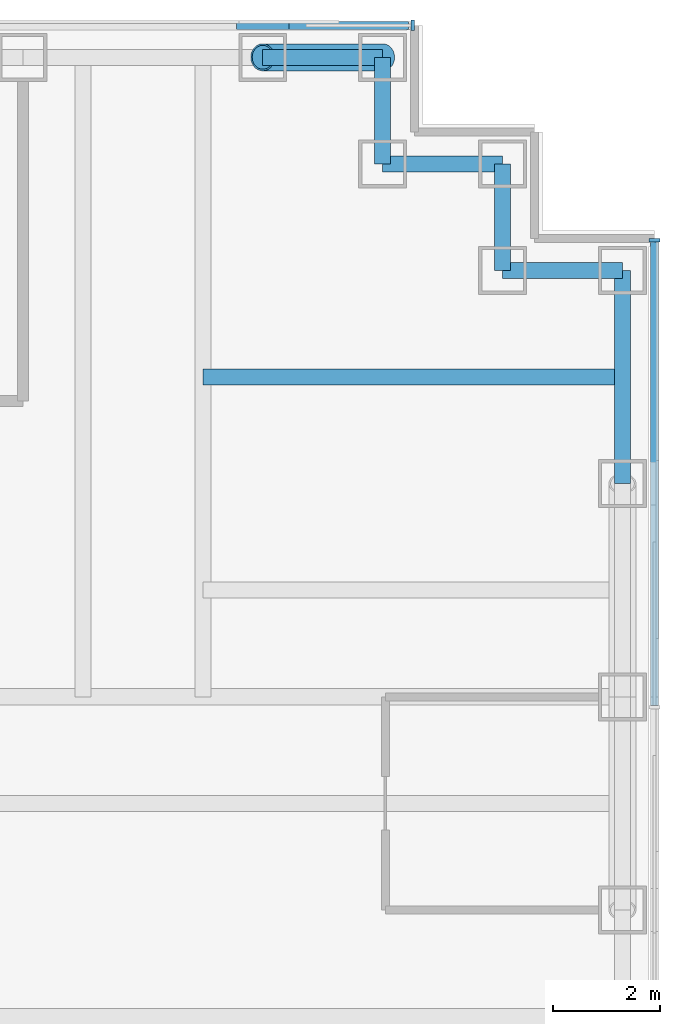
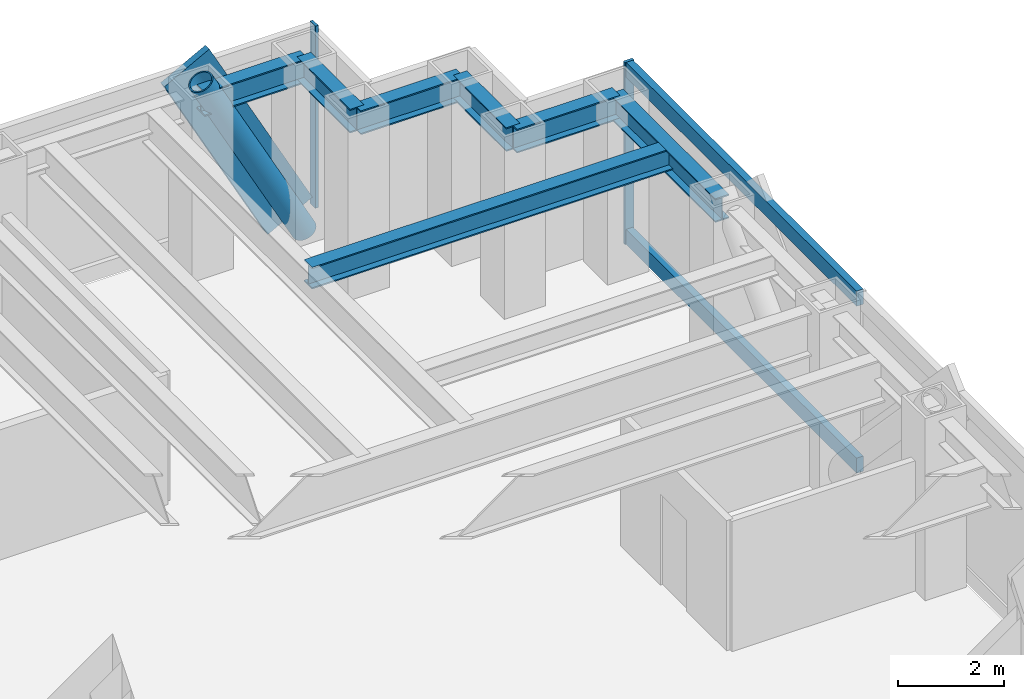
# One storey, part 9 of 17: 7 beams, 6 members, 2 elements without a shape of their own.
"""IFC4 building model written with IfcOpenShell, lengths in metres."""

import ifcopenshell
import ifcopenshell.guid

model = None  # the IFC model being written
_history = None  # IfcOwnerHistory: only IFC2X3 demands one
_inside = {}  # id of a spatial element -> (the spatial element, [elements in it])
_under = {}  # id of a project, library or spatial element -> (it, [spatial elements below it])
_declared = {}  # id of a project -> (the project, [libraries it declares])
_typed = {}  # id of a type object -> (the type object, [elements of that type])
_made_of = {}  # id of a material, layer set ... -> (it, [elements and type objects made of it])


def new_model(schema):
    """Start an empty IFC model of exactly this schema.

    Asked for "IFC4X3", IfcOpenShell would pick the latest addendum, in which some entities
    have other attributes; the version numbers below select the first issue.
    IFC2X3 requires an IfcOwnerHistory on every rooted entity: one is made here for all.
    """
    global model, _history
    if schema == "IFC4X3":
        model = ifcopenshell.file(schema_version=(4, 3, 0, 0))
    else:
        model = ifcopenshell.file(schema=schema)
    _inside.clear()
    _under.clear()
    _declared.clear()
    _typed.clear()
    _made_of.clear()
    _history = None
    if model.schema == "IFC2X3":
        org = make("IfcOrganization", Name="unknown")
        user = make(
            "IfcPersonAndOrganization",
            ThePerson=make("IfcPerson", FamilyName="unknown"),
            TheOrganization=org,
        )
        app = make(
            "IfcApplication",
            ApplicationDeveloper=org,
            Version="unknown",
            ApplicationFullName="unknown",
            ApplicationIdentifier="unknown",
        )
        _history = make(
            "IfcOwnerHistory",
            OwningUser=user,
            OwningApplication=app,
            ChangeAction="ADDED",
            CreationDate=0,
        )
    return model


def make(cls, **values):
    """One entity of the class cls with the attributes given. An attribute that is None is left unset."""
    return model.create_entity(
        cls, **{name: value for name, value in values.items() if value is not None}
    )


def rooted(cls, **values):
    """An entity with a GlobalId (a new one), such as an element, a storey or a relation."""
    return make(cls, GlobalId=ifcopenshell.guid.new(), OwnerHistory=_history, **values)


def si_unit(unit_type, name, prefix=None):
    """IfcSIUnit, for example si_unit("LENGTHUNIT", "METRE", prefix="MILLI")."""
    return make("IfcSIUnit", UnitType=unit_type, Prefix=prefix, Name=name)


def assignment(units):
    """IfcUnitAssignment: the units of a project."""
    return None if units is None else make("IfcUnitAssignment", Units=units)


def point(xyz):
    """IfcCartesianPoint."""
    return None if xyz is None else make("IfcCartesianPoint", Coordinates=xyz)


def direction(xyz):
    """IfcDirection."""
    return None if xyz is None else make("IfcDirection", DirectionRatios=xyz)


def frame(location, z_axis=None, x_axis=None):
    """IfcAxis2Placement3D, a coordinate frame: its origin and axes. An axis left out is left unset."""
    return make(
        "IfcAxis2Placement3D",
        Location=point(location),
        Axis=direction(z_axis),
        RefDirection=direction(x_axis),
    )


def frame_2d(location, x_axis=None):
    """IfcAxis2Placement2D, a coordinate frame in the plane: its origin and x axis."""
    return make(
        "IfcAxis2Placement2D", Location=point(location), RefDirection=direction(x_axis)
    )


def origin():
    """The frame at (0, 0, 0) with its axes left unset."""
    return frame((0.0, 0.0, 0.0))


def origin_2d():
    """The frame at (0, 0) in the plane with its x axis left unset."""
    return frame_2d((0.0, 0.0))


def place(relative_to, where):
    """IfcLocalPlacement: puts the frame where relative to a parent placement (None: the world)."""
    return make(
        "IfcLocalPlacement", PlacementRelTo=relative_to, RelativePlacement=where
    )


def context(
    kind, dimensions, precision=None, world=None, true_north=None, identifier=None
):
    """IfcGeometricRepresentationContext, for example the 3D "Model" context."""
    return make(
        "IfcGeometricRepresentationContext",
        ContextIdentifier=identifier,
        ContextType=kind,
        CoordinateSpaceDimension=dimensions,
        Precision=precision,
        WorldCoordinateSystem=world,
        TrueNorth=true_north,
    )


def subcontext(parent, identifier, kind, view, scale=None):
    """IfcGeometricRepresentationSubContext, for example "Body" below "Model"."""
    return make(
        "IfcGeometricRepresentationSubContext",
        ContextIdentifier=identifier,
        ContextType=kind,
        ParentContext=parent,
        TargetScale=scale,
        TargetView=view,
    )


def project(units=None, contexts=None):
    """IfcProject with its units and contexts."""
    return rooted(
        "IfcProject",
        Name="project",
        RepresentationContexts=contexts,
        UnitsInContext=assignment(units),
    )


def spatial(cls, under=None, at=None, **own):
    """A site, building, storey or space (cls), placed at a placement, below another one or the project."""
    s = rooted(cls, ObjectPlacement=at, **own)
    if under is not None:
        _under.setdefault(under.id(), (under, []))[1].append(s)
    return s


def profile(cls, at=None, kind="AREA", **sizes):
    """A parametric profile (cls). Its sizes go by their IFC names, for example OverallWidth=200.0."""
    return make(cls, ProfileType=kind, Position=at, **sizes)


def rectangle(**sizes):
    """IfcRectangleProfileDef."""
    return profile("IfcRectangleProfileDef", **sizes)


def hollow_circle(**sizes):
    """IfcCircleHollowProfileDef."""
    return profile("IfcCircleHollowProfileDef", **sizes)


def i_section(**sizes):
    """IfcIShapeProfileDef."""
    return profile("IfcIShapeProfileDef", **sizes)


def extrude(swept, where, along, depth):
    """IfcExtrudedAreaSolid: the profile swept, set in the frame where, extruded along a direction by depth."""
    return make(
        "IfcExtrudedAreaSolid",
        SweptArea=swept,
        Position=where,
        ExtrudedDirection=direction(along),
        Depth=depth,
    )


def shape(context_of_items, identifier, shape_type, items):
    """IfcShapeRepresentation: the items that make up one representation, for example the "Body"."""
    return make(
        "IfcShapeRepresentation",
        ContextOfItems=context_of_items,
        RepresentationIdentifier=identifier,
        RepresentationType=shape_type,
        Items=items,
    )


def material(Name=None, Category=None):
    """IfcMaterial."""
    return make("IfcMaterial", Name=Name, Category=Category)


def material_profile(
    of_material, cross_section, Name=None, Category=None, Priority=None
):
    """IfcMaterialProfile: a cross section and its material."""
    return make(
        "IfcMaterialProfile",
        Name=Name,
        Material=of_material,
        Profile=cross_section,
        Priority=Priority,
        Category=Category,
    )


def profile_set(profiles, Name=None, composite=None):
    """IfcMaterialProfileSet."""
    return make(
        "IfcMaterialProfileSet",
        Name=Name,
        MaterialProfiles=profiles,
        CompositeProfile=composite,
    )


def made_of(thing, what):
    """Note that an element or type object is made of a material, layer set ...; save() writes the relation."""
    if what is not None:
        _made_of.setdefault(what.id(), (what, []))[1].append(thing)
    return thing


def type_object(cls, material=None, **own):
    """A type object (cls), such as IfcWallType, which elements share."""
    return made_of(rooted(cls, **own), material)


def element(
    cls,
    number,
    at=None,
    inside=None,
    cuts=None,
    type_object=None,
    material=None,
    context=None,
    identifier="Body",
    shape_type=None,
    held_by="IfcProductDefinitionShape",
    body=None,
    shapes=None,
    **own,
):
    """One element of the class cls, such as IfcWall. Its Tag is "e" and its number.

    at: its placement. inside: the storey or other place that contains it. cuts: it is an
    opening in that element (IfcRelVoidsElement). A single representation is given by context,
    identifier, shape_type and body (its items); several are given by shapes. held_by: the class
    of the entity that holds the representations. save() writes the other relations.
    """
    e = rooted(cls, Tag="e%d" % number, ObjectPlacement=at, **own)
    if body is not None:
        shapes = [shape(context, identifier, shape_type, body)]
    if shapes is not None:
        e.Representation = make(held_by, Representations=shapes)
    if inside is not None:
        _inside.setdefault(inside.id(), (inside, []))[1].append(e)
    if cuts is not None:
        rooted(
            "IfcRelVoidsElement", RelatingBuildingElement=cuts, RelatedOpeningElement=e
        )
    if type_object is not None:
        _typed.setdefault(type_object.id(), (type_object, []))[1].append(e)
    return made_of(e, material)


def aggregate(whole, parts):
    """IfcRelAggregates: a whole, such as a stair, and the parts it consists of."""
    return rooted("IfcRelAggregates", RelatingObject=whole, RelatedObjects=parts)


def save(model, path):
    """Write the relations noted so far, then the file.

    IfcRelAggregates (storeys below a building ...), IfcRelContainedInSpatialStructure (elements
    in a storey), IfcRelDefinesByType, IfcRelAssociatesMaterial and IfcRelDeclares: one each for
    every whole, place, type object, material and project.
    """
    for whole, parts in _under.values():
        aggregate(whole, parts)
    for where, things in _inside.values():
        rooted(
            "IfcRelContainedInSpatialStructure",
            RelatedElements=things,
            RelatingStructure=where,
        )
    for kind, things in _typed.values():
        rooted("IfcRelDefinesByType", RelatedObjects=things, RelatingType=kind)
    for what, things in _made_of.values():
        rooted("IfcRelAssociatesMaterial", RelatedObjects=things, RelatingMaterial=what)
    for by, libraries in _declared.values():
        rooted("IfcRelDeclares", RelatingContext=by, RelatedDefinitions=libraries)
    model.write(path)


model = new_model("IFC4")

# Units and contexts
model_context = context("Model", 3, precision=1e-05, world=origin(), true_north=direction((0.0, 1.0)))
body_context = subcontext(model_context, "Body", "Model", "MODEL_VIEW")
ifc_project = project(units=[si_unit("LENGTHUNIT", "METRE"), si_unit("AREAUNIT", "SQUARE_METRE"), si_unit("VOLUMEUNIT", "CUBIC_METRE"), si_unit("PLANEANGLEUNIT", "RADIAN"), si_unit("MASSUNIT", "GRAM", prefix="KILO")], contexts=[model_context])

# Site, building, storey
site_placement = place(None, origin())
site = spatial("IfcSite", under=ifc_project, at=site_placement, CompositionType="ELEMENT")
building_placement = place(site_placement, origin())
building = spatial("IfcBuilding", under=site, at=building_placement, Name="Rheinbord Bourse Tower", CompositionType="ELEMENT")
storey_placement = place(building_placement, frame((0.0, 0.0, 304.699951171875)))
storey = spatial("IfcBuildingStorey", under=building, at=storey_placement, Name="L69", CompositionType="ELEMENT", Elevation=304.699951171875)

# Curtain wall, member
ifc_material_1 = material(Name="Dark glass and black aluminium", Category="aluminium")
curtain_wall_type = type_object("IfcCurtainWallType", Name="CW3 DARK GLASS CURTAIN WALL", PredefinedType="USERDEFINED", material=ifc_material_1)
curtain_wall_1_placement = place(storey_placement, origin())
curtain_wall_1 = element("IfcCurtainWall", 1, at=curtain_wall_1_placement, inside=storey, type_object=curtain_wall_type, Name="Curtain wall CW3 N L69", ObjectType="UNITISED CURTAIN WALL", PredefinedType="USERDEFINED")
ifc_material_2 = material(Name="Black anodised aluminium", Category="aluminium")
ifc_material_profile_1 = material_profile(ifc_material_2, rectangle(XDim=0.14990234375, YDim=1.10791015625, at=origin_2d()), Name="CW3 DIAGONAL MULLION 1108x150")
ifc_profile_set_1 = profile_set([ifc_material_profile_1], Name="Black anodised aluminium")
member_type_1 = type_object("IfcMemberType", Name="CW3 BLACK DIAGONAL MULLION", PredefinedType="USERDEFINED", material=ifc_profile_set_1)
member_1_placement = place(storey_placement, frame((65.25, 44.60009765625, 0.0), z_axis=(-0.472225678258, 0.0, 0.881477684796), x_axis=(0.0, -1.0, 0.0)))
member_1 = element("IfcMember", 2, at=member_1_placement, type_object=member_type_1, Name="CW3 diagonal mullion a", ObjectType="DIAGONAL MULLION", PredefinedType="USERDEFINED", context=body_context, shape_type="SweptSolid", body=[
    extrude(rectangle(XDim=0.14990234375, YDim=1.10791015625, at=origin_2d()), origin(), (0.0, 0.0, 1.0), 4.7646484375),
])

curtain_wall_2_placement = place(storey_placement, origin())
curtain_wall_2 = element("IfcCurtainWall", 3, at=curtain_wall_2_placement, inside=storey, type_object=curtain_wall_type, Name="Curtain wall CW3 E L69", ObjectType="UNITISED CURTAIN WALL", PredefinedType="USERDEFINED")
ifc_material_3 = material(Name="Black anodised aluminium", Category="aluminium")
ifc_material_profile_2 = material_profile(ifc_material_3, rectangle(XDim=0.199951171875, YDim=0.06494140625, at=origin_2d()), Name="CW3 MULLION 65x200")
ifc_profile_set_2 = profile_set([ifc_material_profile_2], Name="Black anodised aluminium")
member_type_2 = type_object("IfcMemberType", Name="CW3 BLACK MULLION", PredefinedType="MULLION", material=ifc_profile_set_2)
member_2_placement = place(storey_placement, frame((70.35009765625, 40.5673828125, 0.0), z_axis=(0.0, 0.0, 1.0), x_axis=(-1.0, 0.0, 0.0)))
member_2 = element("IfcMember", 4, at=member_2_placement, type_object=member_type_2, Name="CW3 mullion 5", PredefinedType="MULLION", context=body_context, shape_type="SweptSolid", body=[
    extrude(rectangle(XDim=0.199951171875, YDim=0.06494140625, at=origin_2d()), origin(), (0.0, 0.0, 1.0), 4.199951171875),
])

# Member
member_3_placement = place(storey_placement, frame((65.8173828125, 44.60009765625, 0.0), z_axis=(0.0, 0.0, 1.0), x_axis=(0.0, -1.0, 0.0)))
member_3 = element("IfcMember", 5, at=member_3_placement, type_object=member_type_2, Name="CW3 mullion 1", PredefinedType="MULLION", context=body_context, shape_type="SweptSolid", body=[
    extrude(rectangle(XDim=0.199951171875, YDim=0.06494140625, at=origin_2d()), origin(), (0.0, 0.0, 1.0), 4.199951171875),
])

aggregate(curtain_wall_1, [member_3, member_1])

ifc_material_4 = material(Name="Black anodised aluminium", Category="aluminium")
ifc_material_profile_3 = material_profile(ifc_material_4, rectangle(XDim=0.14990234375, YDim=0.35009765625, at=origin_2d()), Name="CW3 TRANSOM 350x150")
ifc_profile_set_3 = profile_set([ifc_material_profile_3], Name="Black anodised aluminium")
member_type_3 = type_object("IfcMemberType", Name="CW3 BLACK TRANSOM", PredefinedType="USERDEFINED", material=ifc_profile_set_3)
member_4_placement = place(storey_placement, frame((70.35009765625, 31.83251953125, 0.175048828125), z_axis=(0.0, 1.0, 0.0), x_axis=(-1.0, 0.0, 0.0)))
member_4 = element("IfcMember", 6, at=member_4_placement, type_object=member_type_3, Name="CW3 transom 4.1", ObjectType="TRANSOM", PredefinedType="USERDEFINED", context=body_context, shape_type="SweptSolid", body=[
    extrude(rectangle(XDim=0.14990234375, YDim=0.35009765625, at=origin_2d()), origin(), (0.0, 0.0, 1.0), 8.702392578125),
])

member_5_placement = place(storey_placement, frame((70.35009765625, 31.83251953125, 4.025146484375), z_axis=(0.0, 1.0, 0.0), x_axis=(-1.0, 0.0, 0.0)))
member_5 = element("IfcMember", 7, at=member_5_placement, type_object=member_type_3, Name="CW3 transom 4.2", ObjectType="TRANSOM", PredefinedType="USERDEFINED", context=body_context, shape_type="SweptSolid", body=[
    extrude(rectangle(XDim=0.14990234375, YDim=0.35009765625, at=origin_2d()), origin(), (0.0, 0.0, 1.0), 8.702392578125),
])

aggregate(curtain_wall_2, [member_2, member_4, member_5])

ifc_material_5 = material(Name="Steel S460", Category="steel")
ifc_material_profile_4 = material_profile(ifc_material_5, hollow_circle(Radius=0.25390625, WallThickness=0.030029296875, at=origin_2d()), Name="CHS 508x30")
ifc_profile_set_4 = profile_set([ifc_material_profile_4], Name="Steel S460")
member_type_4 = type_object("IfcMemberType", Name="MEGABRACE CHS 508x30", PredefinedType="BRACE", material=ifc_profile_set_4)
member_6_placement = place(storey_placement, frame((65.25, 44.0, 0.0), z_axis=(-0.472225678258, 0.0, 0.881477684796), x_axis=(0.0, -1.0, 0.0)))
element("IfcMember", 8, at=member_6_placement, inside=storey, type_object=member_type_4, Name="Megabrace N face line a L69", PredefinedType="BRACE", context=body_context, shape_type="SweptSolid", body=[
    extrude(hollow_circle(Radius=0.25390625, WallThickness=0.030029296875, at=origin_2d()), origin(), (0.0, 0.0, 1.0), 4.7646484375),
])

# Beams
ifc_material_6 = material(Name="Steel S460", Category="steel")
ifc_material_profile_5 = material_profile(ifc_material_6, i_section(OverallWidth=0.300048828125, OverallDepth=0.550048828125, WebThickness=0.014892578125, FlangeThickness=0.029052734375, at=origin_2d()), Name="HEB 550")
ifc_profile_set_5 = profile_set([ifc_material_profile_5], Name="Steel S460")
beam_type_1 = type_object("IfcBeamType", Name="SPANDREL HEB 550", PredefinedType="SPANDREL", material=ifc_profile_set_5)
beam_1_placement = place(storey_placement, frame((69.75, 36.0, 3.76513671875), z_axis=(0.0, 1.0, 0.0), x_axis=(-1.0, 0.0, 0.0)))
element("IfcBeam", 9, at=beam_1_placement, inside=storey, type_object=beam_type_1, Name="Spandrel E-36-NE-A under L70", PredefinedType="SPANDREL", context=body_context, shape_type="SweptSolid", body=[
    extrude(i_section(OverallWidth=0.300048828125, OverallDepth=0.550048828125, WebThickness=0.014892578125, FlangeThickness=0.029052734375, at=origin_2d()), origin(), (0.0, 0.0, 1.0), 4.0),
])
beam_2_placement = place(storey_placement, frame((69.75, 40.0, 3.76513671875), z_axis=(-1.0, 0.0, 0.0), x_axis=(0.0, -1.0, 0.0)))
element("IfcBeam", 10, at=beam_2_placement, inside=storey, type_object=beam_type_1, Name="Spandrel NE-A-NE-B under L70", PredefinedType="SPANDREL", context=body_context, shape_type="SweptSolid", body=[
    extrude(i_section(OverallWidth=0.300048828125, OverallDepth=0.550048828125, WebThickness=0.014892578125, FlangeThickness=0.029052734375, at=origin_2d()), origin(), (0.0, 0.0, 1.0), 2.25),
])
beam_3_placement = place(storey_placement, frame((67.5, 40.0, 3.76513671875), z_axis=(0.0, 1.0, 0.0), x_axis=(-1.0, 0.0, 0.0)))
element("IfcBeam", 11, at=beam_3_placement, inside=storey, type_object=beam_type_1, Name="Spandrel NE-B-NE-C under L70", PredefinedType="SPANDREL", context=body_context, shape_type="SweptSolid", body=[
    extrude(i_section(OverallWidth=0.300048828125, OverallDepth=0.550048828125, WebThickness=0.014892578125, FlangeThickness=0.029052734375, at=origin_2d()), origin(), (0.0, 0.0, 1.0), 2.0),
])
beam_4_placement = place(storey_placement, frame((67.5, 42.0, 3.76513671875), z_axis=(-1.0, 0.0, 0.0), x_axis=(0.0, -1.0, 0.0)))
element("IfcBeam", 12, at=beam_4_placement, inside=storey, type_object=beam_type_1, Name="Spandrel NE-C-NE-D under L70", PredefinedType="SPANDREL", context=body_context, shape_type="SweptSolid", body=[
    extrude(i_section(OverallWidth=0.300048828125, OverallDepth=0.550048828125, WebThickness=0.014892578125, FlangeThickness=0.029052734375, at=origin_2d()), origin(), (0.0, 0.0, 1.0), 2.25),
])
beam_5_placement = place(storey_placement, frame((65.25, 42.0, 3.76513671875), z_axis=(0.0, 1.0, 0.0), x_axis=(-1.0, 0.0, 0.0)))
element("IfcBeam", 13, at=beam_5_placement, inside=storey, type_object=beam_type_1, Name="Spandrel NE-D-NE-E under L70", PredefinedType="SPANDREL", context=body_context, shape_type="SweptSolid", body=[
    extrude(i_section(OverallWidth=0.300048828125, OverallDepth=0.550048828125, WebThickness=0.014892578125, FlangeThickness=0.029052734375, at=origin_2d()), origin(), (0.0, 0.0, 1.0), 2.0),
])
beam_6_placement = place(storey_placement, frame((65.25, 44.0, 3.76513671875), z_axis=(-1.0, 0.0, 0.0), x_axis=(0.0, -1.0, 0.0)))
element("IfcBeam", 14, at=beam_6_placement, inside=storey, type_object=beam_type_1, Name="Spandrel NE-E-N-63 under L70", PredefinedType="SPANDREL", context=body_context, shape_type="SweptSolid", body=[
    extrude(i_section(OverallWidth=0.300048828125, OverallDepth=0.550048828125, WebThickness=0.014892578125, FlangeThickness=0.029052734375, at=origin_2d()), origin(), (0.0, 0.0, 1.0), 2.25),
])
ifc_material_7 = material(Name="Steel S460", Category="steel")
ifc_material_profile_6 = material_profile(ifc_material_7, i_section(OverallWidth=0.300048828125, OverallDepth=0.5, WebThickness=0.014404296875, FlangeThickness=0.028076171875, at=origin_2d()), Name="HEB 500")
ifc_profile_set_6 = profile_set([ifc_material_profile_6], Name="Steel S460")
beam_type_2 = type_object("IfcBeamType", Name="TIE BEAM HEB 500", PredefinedType="JOIST", material=ifc_profile_set_6)
beam_7_placement = place(storey_placement, frame((61.875, 38.0, 3.7900390625), z_axis=(1.0, 0.0, 0.0), x_axis=(0.0, 1.0, 0.0)))
element("IfcBeam", 15, at=beam_7_placement, inside=storey, type_object=beam_type_2, Name="Tie east 38 L70", PredefinedType="JOIST", context=body_context, shape_type="SweptSolid", body=[
    extrude(i_section(OverallWidth=0.300048828125, OverallDepth=0.5, WebThickness=0.014404296875, FlangeThickness=0.028076171875, at=origin_2d()), origin(), (0.0, 0.0, 1.0), 7.875),
])

save(model, "model.ifc")
